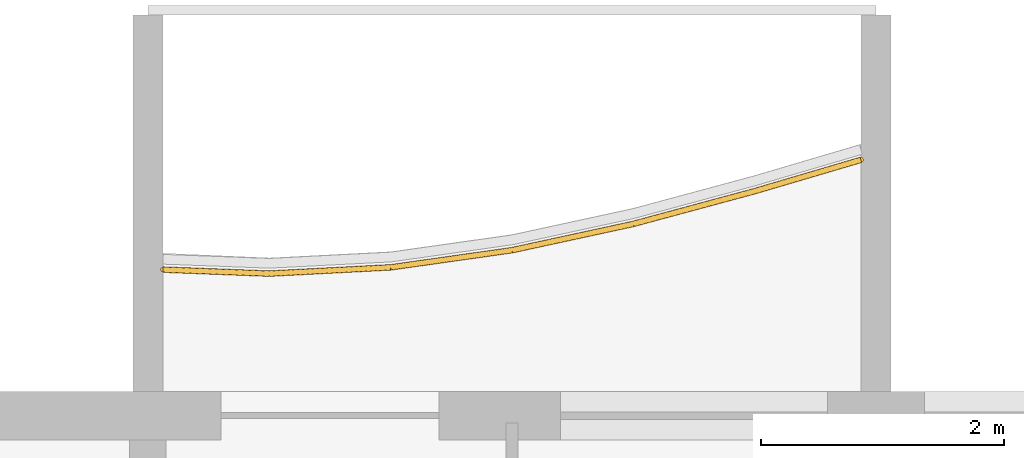
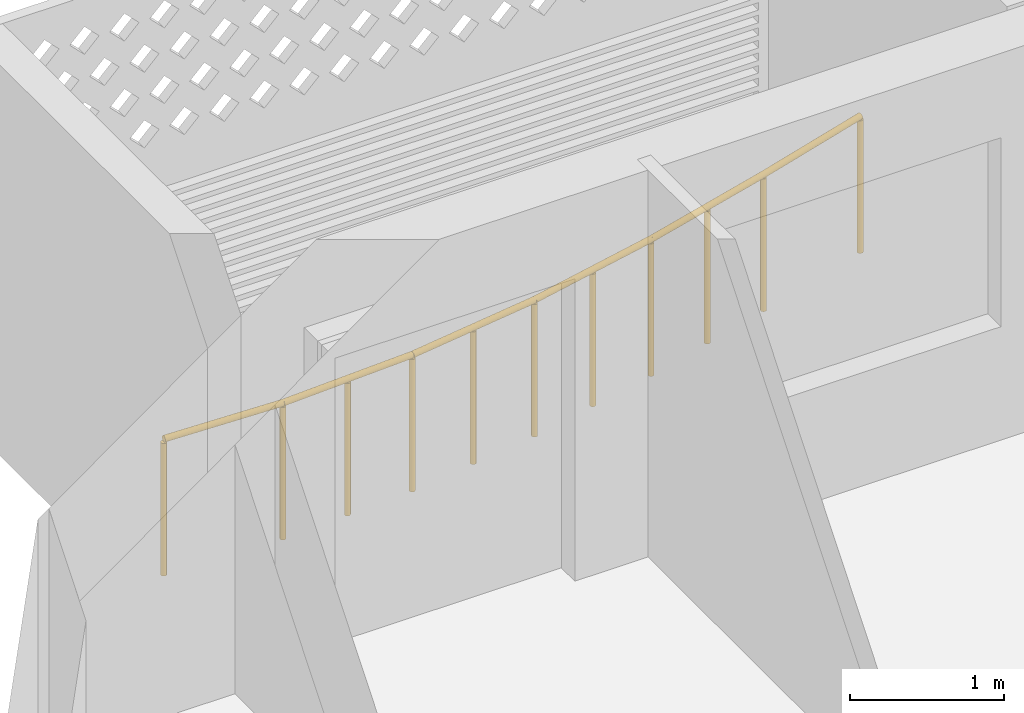
# One storey, part 18 of 33: 1 railing.
"""IFC4 building model written with IfcOpenShell, lengths in metres."""

from ifc_helpers import new_model, si_unit, direction, frame, origin, origin_2d, place, context, subcontext, project, spatial, circle, extrude, material, type_object, element, save


model = new_model("IFC4")

# Units and contexts
model_context = context("Model", 3, precision=1e-05, world=origin(), true_north=direction((0.0, 1.0)))
body_context = subcontext(model_context, "Body", "Model", "MODEL_VIEW")
ifc_project = project(units=[si_unit("LENGTHUNIT", "METRE"), si_unit("AREAUNIT", "SQUARE_METRE"), si_unit("VOLUMEUNIT", "CUBIC_METRE"), si_unit("PLANEANGLEUNIT", "RADIAN"), si_unit("MASSUNIT", "GRAM", prefix="KILO")], contexts=[model_context])

# Site, building, storey
site_placement = place(None, origin())
site = spatial("IfcSite", under=ifc_project, at=site_placement, CompositionType="ELEMENT")
building_placement = place(site_placement, origin())
building = spatial("IfcBuilding", under=site, at=building_placement, Name="Poui Terraces", CompositionType="ELEMENT")
storey_placement = place(building_placement, frame((0.0, 0.0, 135.60009765625)))
storey = spatial("IfcBuildingStorey", under=building, at=storey_placement, Name="L37", CompositionType="ELEMENT", Elevation=135.60009765625)

# Railing
ifc_material = material(Name="Painted steel fretwork", Category="steel")
railing_type = type_object("IfcRailingType", Name="BALCONY GUARD 1100", PredefinedType="GUARDRAIL", material=ifc_material)
railing_placement = place(storey_placement, frame((18.125, 43.60302734375, 0.0)))
element("IfcRailing", 1, at=railing_placement, inside=storey, type_object=railing_type, Name="BALCONY GUARD", PredefinedType="GUARDRAIL", context=body_context, shape_type="SweptSolid", body=[
    extrude(circle(Radius=0.02392578125, at=origin_2d()), frame((0.0, 0.0, 1.076171875), z_axis=(0.999291337102, -0.037640717218, 0.0), x_axis=(0.037640717218, 0.999291337102, 0.0)), (0.0, 0.0, 1.0), 0.875732421875),
    extrude(circle(Radius=0.02392578125, at=origin_2d()), frame((0.875, -0.032958984375, 1.076171875), z_axis=(0.998675805692, 0.051445457764, 0.0), x_axis=(-0.051445457764, 0.998675805692, 0.0)), (0.0, 0.0, 1.0), 1.001220703125),
    extrude(circle(Radius=0.02392578125, at=origin_2d()), frame((1.875, 0.0185546875, 1.076171875), z_axis=(0.99015631817, 0.13996594439, 0.0), x_axis=(-0.13996594439, 0.99015631817, 0.0)), (0.0, 0.0, 1.0), 1.010009765625),
    extrude(circle(Radius=0.02392578125, at=origin_2d()), frame((2.875, 0.159912109375, 1.076171875), z_axis=(0.977296797445, 0.211874891633, 0.0), x_axis=(-0.211874891633, 0.977296797445, 0.0)), (0.0, 0.0, 1.0), 1.023193359375),
    extrude(circle(Radius=0.02392578125, at=origin_2d()), frame((3.875, 0.376708984375, 1.076171875), z_axis=(0.965483634336, 0.260463724595, 0.0), x_axis=(-0.260463724595, 0.965483634336, 0.0)), (0.0, 0.0, 1.0), 1.03564453125),
    extrude(circle(Radius=0.02392578125, at=origin_2d()), frame((4.875, 0.646484375, 1.076171875), z_axis=(0.959229011415, 0.282629976578, 0.0), x_axis=(-0.282629976578, 0.959229011415, 0.0)), (0.0, 0.0, 1.0), 0.912109375),
    extrude(circle(Radius=0.02099609375, at=origin_2d()), origin(), (0.0, 0.0, 1.0), 1.052001953125),
    extrude(circle(Radius=0.02099609375, at=origin_2d()), frame((0.875, -0.032958984375, 0.0)), (0.0, 0.0, 1.0), 1.052001953125),
    extrude(circle(Radius=0.02099609375, at=origin_2d()), frame((1.375, -0.00732421875, 0.0)), (0.0, 0.0, 1.0), 1.052001953125),
    extrude(circle(Radius=0.02099609375, at=origin_2d()), frame((1.875, 0.0185546875, 0.0)), (0.0, 0.0, 1.0), 1.052001953125),
    extrude(circle(Radius=0.02099609375, at=origin_2d()), frame((2.375, 0.08935546875, 0.0)), (0.0, 0.0, 1.0), 1.052001953125),
    extrude(circle(Radius=0.02099609375, at=origin_2d()), frame((2.875, 0.159912109375, 0.0)), (0.0, 0.0, 1.0), 1.052001953125),
    extrude(circle(Radius=0.02099609375, at=origin_2d()), frame((3.375, 0.268310546875, 0.0)), (0.0, 0.0, 1.0), 1.052001953125),
    extrude(circle(Radius=0.02099609375, at=origin_2d()), frame((3.875, 0.376708984375, 0.0)), (0.0, 0.0, 1.0), 1.052001953125),
    extrude(circle(Radius=0.02099609375, at=origin_2d()), frame((4.375, 0.51171875, 0.0)), (0.0, 0.0, 1.0), 1.052001953125),
    extrude(circle(Radius=0.02099609375, at=origin_2d()), frame((4.875, 0.646484375, 0.0)), (0.0, 0.0, 1.0), 1.052001953125),
    extrude(circle(Radius=0.02099609375, at=origin_2d()), frame((5.75, 0.904296875, 0.0)), (0.0, 0.0, 1.0), 1.052001953125),
])

save(model, "model.ifc")
